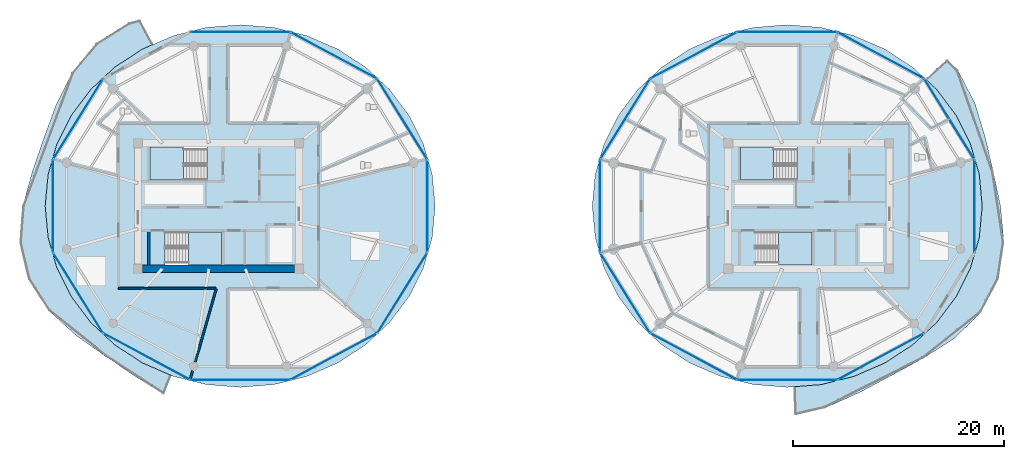
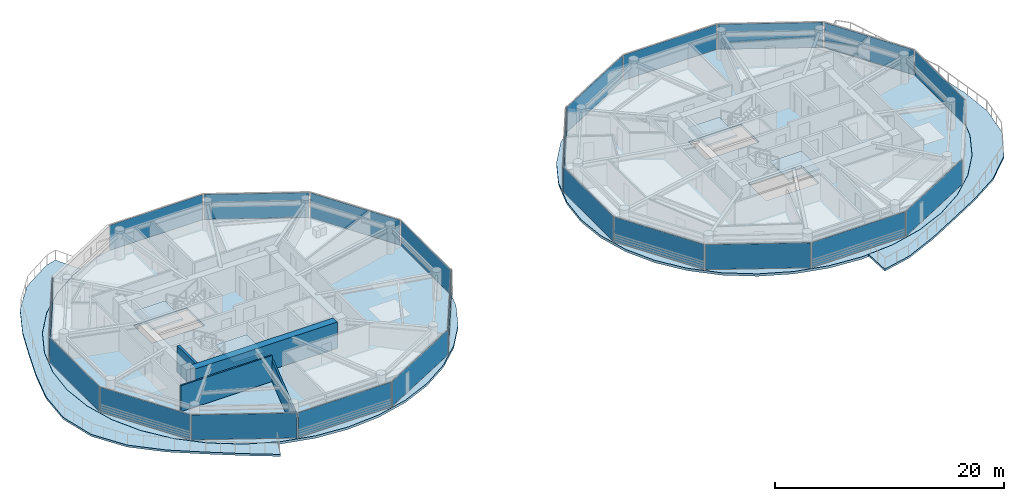
# One storey, part 12 of 25: 22 plates, 8 slabs, 4 walls, 26 elements without a shape of their own.
"""IFC4 building model written with IfcOpenShell, lengths in metres."""

from ifc_helpers import new_model, si_unit, direction, frame, frame_2d, origin, origin_2d, place, context, subcontext, project, spatial, polyline, rectangle, outline, extrude, source, transform, mapped, material, layer, layer_set, type_object, type_shapes, element, aggregate, save


model = new_model("IFC4")

# Units and contexts
model_context = context("Model", 3, precision=1e-05, world=origin(), true_north=direction((0.0, 1.0)))
body_context = subcontext(model_context, "Body", "Model", "MODEL_VIEW")
ifc_project = project(units=[si_unit("LENGTHUNIT", "METRE"), si_unit("AREAUNIT", "SQUARE_METRE"), si_unit("VOLUMEUNIT", "CUBIC_METRE"), si_unit("PLANEANGLEUNIT", "RADIAN"), si_unit("MASSUNIT", "GRAM", prefix="KILO")], contexts=[model_context])

# Site, building, storey
site_placement = place(None, origin())
site = spatial("IfcSite", under=ifc_project, at=site_placement, CompositionType="ELEMENT")
building_placement = place(site_placement, origin())
building = spatial("IfcBuilding", under=site, at=building_placement, Name="Norrkilde Senior Care Towers", CompositionType="ELEMENT")
storey_placement = place(building_placement, frame((0.0, 0.0, 99.300048828125)))
storey = spatial("IfcBuildingStorey", under=building, at=storey_placement, Name="L30", CompositionType="ELEMENT", Elevation=99.300048828125)

# Slabs
ifc_material_1 = material(Name="Concrete C50/60", Category="concrete")
ifc_layer_1 = layer(ifc_material_1, 0.215087890625)
ifc_layer_set_1 = layer_set([ifc_layer_1], Name="Concrete C50/60")
slab_type_1 = type_object("IfcSlabType", Name="Sinusoidal Balcony Ribbon Slab 215", PredefinedType="FLOOR", material=ifc_layer_set_1)
slab_1_placement = place(storey_placement, frame((0.0, 0.0, -0.215087890625)))
element("IfcSlab", 1, at=slab_1_placement, inside=storey, type_object=slab_type_1, Name="L30 Drum W Swirling Senior Balcony 1", PredefinedType="FLOOR", context=body_context, shape_type="SweptSolid", body=[
    extrude(outline(polyline([(-38.70068359375, -14.27734375), (-41.502685546875, -12.302001953125), (-44.10595703125, -9.925537109375), (-46.023681640625, -6.935546875), (-46.840087890625, -3.493408203125), (-46.574951171875, 0.0), (-45.67333984375, 3.27197265625), (-44.602294921875, 6.379150390625), (-43.447509765625, 9.5166015625), (-41.896240234375, 12.6572265625), (-39.5966796875, 15.425537109375), (-36.5224609375, 17.359375), (-35.44580078125, 17.64794921875), (-34.200927734375, 15.334228515625), (-35.202392578125, 14.89990234375), (-37.8447265625, 13.1796875), (-40.125732421875, 11.05908203125), (-41.975830078125, 8.6025390625), (-43.339111328125, 5.884521484375), (-44.173828125, 2.987548828125), (-44.455078125, 0.0), (-44.173828125, -2.987548828125), (-43.339111328125, -5.884521484375), (-41.975830078125, -8.6025390625), (-40.125732421875, -11.05908203125), (-37.8447265625, -13.1796875), (-35.202392578125, -14.89990234375), (-32.47021484375, -16.08447265625), (-33.19482421875, -17.8720703125), (-35.8876953125, -16.176513671875), (-38.70068359375, -14.27734375)])), origin(), (0.0, 0.0, 1.0), 0.215087890625),
])
slab_2_placement = place(storey_placement, frame((0.0, 0.0, -0.215087890625)))
element("IfcSlab", 2, at=slab_2_placement, inside=storey, type_object=slab_type_1, Name="L30 Drum E Swirling Senior Balcony 1", PredefinedType="FLOOR", context=body_context, shape_type="SweptSolid", body=[
    extrude(outline(polyline([(44.346923828125, -10.0751953125), (41.79931640625, -12.56982421875), (38.84228515625, -14.458740234375), (35.83837890625, -16.085205078125), (32.798828125, -17.70361328125), (29.528076171875, -19.16845703125), (26.68115234375, -19.8271484375), (26.58251953125, -17.153564453125), (29.163330078125, -16.943603515625), (32.279052734375, -16.16748046875), (35.202392578125, -14.89990234375), (37.8447265625, -13.1796875), (40.125732421875, -11.05908203125), (41.975830078125, -8.6025390625), (43.339111328125, -5.884521484375), (44.173828125, -2.987548828125), (44.455078125, 0.0), (44.173828125, 2.987548828125), (43.339111328125, 5.884521484375), (41.975830078125, 8.6025390625), (40.125732421875, 11.05908203125), (39.09326171875, 12.01904296875), (41.144287109375, 13.89453125), (42.14013671875, 12.87744140625), (43.776611328125, 9.720947265625), (44.76025390625, 6.44091796875), (45.5068359375, 3.240478515625), (46.1875, 0.0), (46.51708984375, -3.43212890625), (45.9912109375, -6.9228515625), (44.346923828125, -10.0751953125)])), origin(), (0.0, 0.0, 1.0), 0.215087890625),
])

# Stair, slab
ifc_material_2 = material(Name="Concrete C45/55", Category="concrete")
stair_type = type_object("IfcStairType", Name="Core Protected Dogleg Stair Typical 3050", PredefinedType="HALF_TURN_STAIR", material=ifc_material_2)
stair_1_placement = place(storey_placement, origin())
stair_1 = element("IfcStair", 3, at=stair_1_placement, inside=storey, type_object=stair_type, Name="L30 Protected Core Stair W1", PredefinedType="HALF_TURN_STAIR")
ifc_layer_2 = layer(ifc_material_2, 0.199951171875)
ifc_layer_set_2 = layer_set([ifc_layer_2], Name="Concrete C45/55")
slab_type_2 = type_object("IfcSlabType", Name="Stair Landing Slab 200", PredefinedType="LANDING", material=ifc_layer_set_2)
slab_3_placement = place(storey_placement, frame((0.0, 0.0, 1.324951171875)))
slab_3 = element("IfcSlab", 4, at=slab_3_placement, type_object=slab_type_2, Name="ST-W1 landing 1", PredefinedType="LANDING", context=body_context, shape_type="SweptSolid", body=[
    extrude(outline(polyline([(-31.340087890625, 5.590087890625), (-34.5, 5.590087890625), (-34.5, 2.449951171875), (-31.340087890625, 2.449951171875), (-31.340087890625, 5.590087890625)])), origin(), (0.0, 0.0, 1.0), 0.199951171875),
])
aggregate(stair_1, [slab_3])

stair_2_placement = place(storey_placement, origin())
stair_2 = element("IfcStair", 5, at=stair_2_placement, inside=storey, type_object=stair_type, Name="L30 Protected Core Stair W2", PredefinedType="HALF_TURN_STAIR")
slab_4_placement = place(storey_placement, frame((0.0, 0.0, 1.324951171875)))
slab_4 = element("IfcSlab", 6, at=slab_4_placement, type_object=slab_type_2, Name="ST-W2 landing 1", PredefinedType="LANDING", context=body_context, shape_type="SweptSolid", body=[
    extrude(outline(polyline([(-30.860107421875, -5.590087890625), (-27.699951171875, -5.590087890625), (-27.699951171875, -2.449951171875), (-30.860107421875, -2.449951171875), (-30.860107421875, -5.590087890625)])), origin(), (0.0, 0.0, 1.0), 0.199951171875),
])
aggregate(stair_2, [slab_4])

stair_3_placement = place(storey_placement, origin())
stair_3 = element("IfcStair", 7, at=stair_3_placement, inside=storey, type_object=stair_type, Name="L30 Protected Core Stair E1", PredefinedType="HALF_TURN_STAIR")
slab_5_placement = place(storey_placement, frame((0.0, 0.0, 1.324951171875)))
slab_5 = element("IfcSlab", 8, at=slab_5_placement, type_object=slab_type_2, Name="ST-E1 landing 1", PredefinedType="LANDING", context=body_context, shape_type="SweptSolid", body=[
    extrude(outline(polyline([(24.659912109375, 5.590087890625), (21.5, 5.590087890625), (21.5, 2.449951171875), (24.659912109375, 2.449951171875), (24.659912109375, 5.590087890625)])), origin(), (0.0, 0.0, 1.0), 0.199951171875),
])
aggregate(stair_3, [slab_5])

stair_4_placement = place(storey_placement, origin())
stair_4 = element("IfcStair", 9, at=stair_4_placement, inside=storey, type_object=stair_type, Name="L30 Protected Core Stair E2", PredefinedType="HALF_TURN_STAIR")
slab_6_placement = place(storey_placement, frame((0.0, 0.0, 1.324951171875)))
slab_6 = element("IfcSlab", 10, at=slab_6_placement, type_object=slab_type_2, Name="ST-E2 landing 1", PredefinedType="LANDING", context=body_context, shape_type="SweptSolid", body=[
    extrude(outline(polyline([(25.139892578125, -5.590087890625), (28.300048828125, -5.590087890625), (28.300048828125, -2.449951171875), (25.139892578125, -2.449951171875), (25.139892578125, -5.590087890625)])), origin(), (0.0, 0.0, 1.0), 0.199951171875),
])
aggregate(stair_4, [slab_6])

# Slabs
ifc_layer_3 = layer(ifc_material_1, 0.260009765625)
ifc_layer_set_3 = layer_set([ifc_layer_3], Name="Concrete C50/60")
slab_type_3 = type_object("IfcSlabType", Name="Tower Care Floor Slab 260", PredefinedType="FLOOR", material=ifc_layer_set_3)
slab_7_placement = place(storey_placement, frame((0.0, 0.0, -0.260009765625)))
element("IfcSlab", 11, at=slab_7_placement, inside=storey, type_object=slab_type_3, Name="L30 Drum W Structural Floor Slab", PredefinedType="FLOOR", context=body_context, shape_type="SweptSolid", body=[
    extrude(outline(polyline([(-8.565673828125, -5.8828125), (-9.928466796875, -8.60009765625), (-11.778076171875, -11.055908203125), (-14.058349609375, -13.176025390625), (-16.699951171875, -14.895751953125), (-19.62255859375, -16.16259765625), (-22.737548828125, -16.938720703125), (-25.949951171875, -17.199951171875), (-29.16259765625, -16.938720703125), (-32.27734375, -16.16259765625), (-35.199951171875, -14.895751953125), (-37.841552734375, -13.176025390625), (-40.121826171875, -11.055908203125), (-41.971435546875, -8.60009765625), (-43.334228515625, -5.8828125), (-44.1689453125, -2.98681640625), (-44.449951171875, 0.0), (-44.1689453125, 2.98681640625), (-43.334228515625, 5.8828125), (-41.971435546875, 8.60009765625), (-40.121826171875, 11.055908203125), (-37.841552734375, 13.176025390625), (-35.199951171875, 14.895751953125), (-32.27734375, 16.16259765625), (-29.16259765625, 16.938720703125), (-25.949951171875, 17.199951171875), (-22.737548828125, 16.938720703125), (-19.62255859375, 16.16259765625), (-16.699951171875, 14.895751953125), (-14.058349609375, 13.176025390625), (-11.778076171875, 11.055908203125), (-9.928466796875, 8.60009765625), (-8.565673828125, 5.8828125), (-7.73095703125, 2.98681640625), (-7.449951171875, 0.0), (-7.73095703125, -2.98681640625), (-8.565673828125, -5.8828125)]), holes=[polyline([(-34.48193359375, 2.468017578125), (-29.117919921875, 2.468017578125), (-29.117919921875, 5.590087890625), (-34.48193359375, 5.590087890625), (-34.48193359375, 2.468017578125)]), polyline([(-27.718017578125, -5.590087890625), (-27.718017578125, -2.468017578125), (-33.08203125, -2.468017578125), (-33.08203125, -5.590087890625), (-27.718017578125, -5.590087890625)])]), origin(), (0.0, 0.0, 1.0), 0.260009765625),
])
slab_8_placement = place(storey_placement, frame((0.0, 0.0, -0.260009765625)))
element("IfcSlab", 12, at=slab_8_placement, inside=storey, type_object=slab_type_3, Name="L30 Drum E Structural Floor Slab", PredefinedType="FLOOR", context=body_context, shape_type="SweptSolid", body=[
    extrude(outline(polyline([(43.334228515625, -5.8828125), (41.971435546875, -8.60009765625), (40.121826171875, -11.055908203125), (37.841552734375, -13.176025390625), (35.199951171875, -14.895751953125), (32.27734375, -16.16259765625), (29.16259765625, -16.938720703125), (25.949951171875, -17.199951171875), (22.737548828125, -16.938720703125), (19.62255859375, -16.16259765625), (16.699951171875, -14.895751953125), (14.058349609375, -13.176025390625), (11.778076171875, -11.055908203125), (9.928466796875, -8.60009765625), (8.565673828125, -5.8828125), (7.73095703125, -2.98681640625), (7.449951171875, 0.0), (7.73095703125, 2.98681640625), (8.565673828125, 5.8828125), (9.928466796875, 8.60009765625), (11.778076171875, 11.055908203125), (14.058349609375, 13.176025390625), (16.699951171875, 14.895751953125), (19.62255859375, 16.16259765625), (22.737548828125, 16.938720703125), (25.949951171875, 17.199951171875), (29.16259765625, 16.938720703125), (32.27734375, 16.16259765625), (35.199951171875, 14.895751953125), (37.841552734375, 13.176025390625), (40.121826171875, 11.055908203125), (41.971435546875, 8.60009765625), (43.334228515625, 5.8828125), (44.1689453125, 2.98681640625), (44.449951171875, 0.0), (44.1689453125, -2.98681640625), (43.334228515625, -5.8828125)]), holes=[polyline([(21.51806640625, 2.468017578125), (26.882080078125, 2.468017578125), (26.882080078125, 5.590087890625), (21.51806640625, 5.590087890625), (21.51806640625, 2.468017578125)]), polyline([(28.281982421875, -5.590087890625), (28.281982421875, -2.468017578125), (22.91796875, -2.468017578125), (22.91796875, -5.590087890625), (28.281982421875, -5.590087890625)])]), origin(), (0.0, 0.0, 1.0), 0.260009765625),
])

# Curtain wall, plate
ifc_material_3 = material(Name="Triple Low-E Insulated Glazing", Category="glass")
ifc_layer_4 = layer(ifc_material_3, 0.195068359375)
ifc_layer_set_4 = layer_set([ifc_layer_4], Name="Triple Low-E Insulated Glazing")
curtain_wall_type = type_object("IfcCurtainWallType", Name="CW3 Zone 2 Assisted Living Curtain Wall", PredefinedType="NOTDEFINED", material=ifc_layer_set_4)
curtain_wall_1_placement = place(storey_placement, origin())
curtain_wall_1 = element("IfcCurtainWall", 13, at=curtain_wall_1_placement, inside=storey, type_object=curtain_wall_type, Name="L30 Drum W Curtain Wall 00", PredefinedType="NOTDEFINED")
ifc_layer_5 = layer(ifc_material_3, 0.035888671875)
ifc_layer_set_5 = layer_set([ifc_layer_5], Name="Triple Low-E Insulated Glazing")
plate_type = type_object("IfcPlateType", Name="Triple Low-E Vision Curtain Panel 36", PredefinedType="CURTAIN_PANEL", material=ifc_layer_set_5)
shared_shape_1 = source(origin(), body_context, "Body", "SweptSolid", [
    extrude(rectangle(XDim=8.88427734375, YDim=0.035888671875, at=origin_2d()), origin(), (0.0, 0.0, 1.0), 2.669921875),
])
plate_1_placement = place(storey_placement, frame((-10.574951171875, 8.2490234375, 0.06005859375), z_axis=(0.0, 0.0, 1.0), x_axis=(0.527733228002, -0.849410171862, 0.0)))
plate_1 = element("IfcPlate", 14, at=plate_1_placement, type_object=plate_type, Name="CW-3 panel 1.1", PredefinedType="CURTAIN_PANEL", context=body_context, shape_type="MappedRepresentation", body=[
    mapped(shared_shape_1, transform((0.0, 0.0, 0.0), x_axis=(1.0, 0.0, 0.0), y_axis=(0.0, 1.0, 0.0), z_axis=(0.0, 0.0, 1.0), scale=1.0)),
])
aggregate(curtain_wall_1, [plate_1])

curtain_wall_2_placement = place(storey_placement, origin())
curtain_wall_2 = element("IfcCurtainWall", 15, at=curtain_wall_2_placement, inside=storey, type_object=curtain_wall_type, Name="L30 Drum W Curtain Wall 04", PredefinedType="NOTDEFINED")
plate_2_placement = place(storey_placement, frame((-41.3251953125, 8.2490234375, 0.06005859375), z_axis=(0.0, 0.0, 1.0), x_axis=(0.527733228002, 0.849410171862, 0.0)))
plate_2 = element("IfcPlate", 16, at=plate_2_placement, type_object=plate_type, Name="CW-3 panel 1.1", PredefinedType="CURTAIN_PANEL", context=body_context, shape_type="MappedRepresentation", body=[
    mapped(shared_shape_1, transform((0.0, 0.0, 0.0), x_axis=(1.0, 0.0, 0.0), y_axis=(0.0, 1.0, 0.0), z_axis=(0.0, 0.0, 1.0), scale=1.0)),
])
aggregate(curtain_wall_2, [plate_2])

curtain_wall_3_placement = place(storey_placement, origin())
curtain_wall_3 = element("IfcCurtainWall", 17, at=curtain_wall_3_placement, inside=storey, type_object=curtain_wall_type, Name="L30 Drum W Curtain Wall 06", PredefinedType="NOTDEFINED")
plate_3_placement = place(storey_placement, frame((-41.3251953125, -8.2490234375, 0.06005859375), z_axis=(0.0, 0.0, 1.0), x_axis=(-0.527733228002, 0.849410171862, 0.0)))
plate_3 = element("IfcPlate", 18, at=plate_3_placement, type_object=plate_type, Name="CW-3 panel 1.1", PredefinedType="CURTAIN_PANEL", context=body_context, shape_type="MappedRepresentation", body=[
    mapped(shared_shape_1, transform((0.0, 0.0, 0.0), x_axis=(1.0, 0.0, 0.0), y_axis=(0.0, 1.0, 0.0), z_axis=(0.0, 0.0, 1.0), scale=1.0)),
])
aggregate(curtain_wall_3, [plate_3])

curtain_wall_4_placement = place(storey_placement, origin())
curtain_wall_4 = element("IfcCurtainWall", 19, at=curtain_wall_4_placement, inside=storey, type_object=curtain_wall_type, Name="L30 Drum W Curtain Wall 10", PredefinedType="NOTDEFINED")
plate_4_placement = place(storey_placement, frame((-10.574951171875, -8.2490234375, 0.06005859375), z_axis=(0.0, 0.0, 1.0), x_axis=(-0.527733228002, -0.849410171862, 0.0)))
plate_4 = element("IfcPlate", 20, at=plate_4_placement, type_object=plate_type, Name="CW-3 panel 1.1", PredefinedType="CURTAIN_PANEL", context=body_context, shape_type="MappedRepresentation", body=[
    mapped(shared_shape_1, transform((0.0, 0.0, 0.0), x_axis=(1.0, 0.0, 0.0), y_axis=(0.0, 1.0, 0.0), z_axis=(0.0, 0.0, 1.0), scale=1.0)),
])
aggregate(curtain_wall_4, [plate_4])

curtain_wall_5_placement = place(storey_placement, origin())
curtain_wall_5 = element("IfcCurtainWall", 21, at=curtain_wall_5_placement, inside=storey, type_object=curtain_wall_type, Name="L30 Drum E Curtain Wall 00", PredefinedType="NOTDEFINED")
plate_5_placement = place(storey_placement, frame((41.3251953125, 8.2490234375, 0.06005859375), z_axis=(0.0, 0.0, 1.0), x_axis=(0.527733228002, -0.849410171862, 0.0)))
plate_5 = element("IfcPlate", 22, at=plate_5_placement, type_object=plate_type, Name="CW-3 panel 1.1", PredefinedType="CURTAIN_PANEL", context=body_context, shape_type="MappedRepresentation", body=[
    mapped(shared_shape_1, transform((0.0, 0.0, 0.0), x_axis=(1.0, 0.0, 0.0), y_axis=(0.0, 1.0, 0.0), z_axis=(0.0, 0.0, 1.0), scale=1.0)),
])
aggregate(curtain_wall_5, [plate_5])

curtain_wall_6_placement = place(storey_placement, origin())
curtain_wall_6 = element("IfcCurtainWall", 23, at=curtain_wall_6_placement, inside=storey, type_object=curtain_wall_type, Name="L30 Drum E Curtain Wall 04", PredefinedType="NOTDEFINED")
plate_6_placement = place(storey_placement, frame((10.574951171875, 8.2490234375, 0.06005859375), z_axis=(0.0, 0.0, 1.0), x_axis=(0.527733228002, 0.849410171862, 0.0)))
plate_6 = element("IfcPlate", 24, at=plate_6_placement, type_object=plate_type, Name="CW-3 panel 1.1", PredefinedType="CURTAIN_PANEL", context=body_context, shape_type="MappedRepresentation", body=[
    mapped(shared_shape_1, transform((0.0, 0.0, 0.0), x_axis=(1.0, 0.0, 0.0), y_axis=(0.0, 1.0, 0.0), z_axis=(0.0, 0.0, 1.0), scale=1.0)),
])
aggregate(curtain_wall_6, [plate_6])

curtain_wall_7_placement = place(storey_placement, origin())
curtain_wall_7 = element("IfcCurtainWall", 25, at=curtain_wall_7_placement, inside=storey, type_object=curtain_wall_type, Name="L30 Drum E Curtain Wall 06", PredefinedType="NOTDEFINED")
plate_7_placement = place(storey_placement, frame((10.574951171875, -8.2490234375, 0.06005859375), z_axis=(0.0, 0.0, 1.0), x_axis=(-0.527733228002, 0.849410171862, 0.0)))
plate_7 = element("IfcPlate", 26, at=plate_7_placement, type_object=plate_type, Name="CW-3 panel 1.1", PredefinedType="CURTAIN_PANEL", context=body_context, shape_type="MappedRepresentation", body=[
    mapped(shared_shape_1, transform((0.0, 0.0, 0.0), x_axis=(1.0, 0.0, 0.0), y_axis=(0.0, 1.0, 0.0), z_axis=(0.0, 0.0, 1.0), scale=1.0)),
])
aggregate(curtain_wall_7, [plate_7])

curtain_wall_8_placement = place(storey_placement, origin())
curtain_wall_8 = element("IfcCurtainWall", 27, at=curtain_wall_8_placement, inside=storey, type_object=curtain_wall_type, Name="L30 Drum W Curtain Wall 01", PredefinedType="NOTDEFINED")
shared_shape_2 = source(origin(), body_context, "Body", "SweptSolid", [
    extrude(rectangle(XDim=9.220458984375, YDim=0.035888671875, at=origin_2d()), origin(), (0.0, 0.0, 1.0), 2.669921875),
])
plate_8_placement = place(storey_placement, frame((-17.0732421875, 14.28759765625, 0.06005859375), z_axis=(0.0, 0.0, 1.0), x_axis=(0.881186184668, -0.472769402511, 0.0)))
plate_8 = element("IfcPlate", 28, at=plate_8_placement, type_object=plate_type, Name="CW-3 panel 1.1", PredefinedType="CURTAIN_PANEL", context=body_context, shape_type="MappedRepresentation", body=[
    mapped(shared_shape_2, transform((0.0, 0.0, 0.0), x_axis=(1.0, 0.0, 0.0), y_axis=(0.0, 1.0, 0.0), z_axis=(0.0, 0.0, 1.0), scale=1.0)),
])
aggregate(curtain_wall_8, [plate_8])

curtain_wall_9_placement = place(storey_placement, origin())
curtain_wall_9 = element("IfcCurtainWall", 29, at=curtain_wall_9_placement, inside=storey, type_object=curtain_wall_type, Name="L30 Drum W Curtain Wall 07", PredefinedType="NOTDEFINED")
plate_9_placement = place(storey_placement, frame((-34.826904296875, -14.28759765625, 0.06005859375), z_axis=(0.0, 0.0, 1.0), x_axis=(-0.881186184668, 0.472769402511, 0.0)))
plate_9 = element("IfcPlate", 30, at=plate_9_placement, type_object=plate_type, Name="CW-3 panel 1.1", PredefinedType="CURTAIN_PANEL", context=body_context, shape_type="MappedRepresentation", body=[
    mapped(shared_shape_2, transform((0.0, 0.0, 0.0), x_axis=(1.0, 0.0, 0.0), y_axis=(0.0, 1.0, 0.0), z_axis=(0.0, 0.0, 1.0), scale=1.0)),
])
aggregate(curtain_wall_9, [plate_9])

curtain_wall_10_placement = place(storey_placement, origin())
curtain_wall_10 = element("IfcCurtainWall", 31, at=curtain_wall_10_placement, inside=storey, type_object=curtain_wall_type, Name="L30 Drum W Curtain Wall 09", PredefinedType="NOTDEFINED")
plate_10_placement = place(storey_placement, frame((-17.0732421875, -14.28759765625, 0.06005859375), z_axis=(0.0, 0.0, 1.0), x_axis=(-0.881186184668, -0.472769402511, 0.0)))
plate_10 = element("IfcPlate", 32, at=plate_10_placement, type_object=plate_type, Name="CW-3 panel 1.1", PredefinedType="CURTAIN_PANEL", context=body_context, shape_type="MappedRepresentation", body=[
    mapped(shared_shape_2, transform((0.0, 0.0, 0.0), x_axis=(1.0, 0.0, 0.0), y_axis=(0.0, 1.0, 0.0), z_axis=(0.0, 0.0, 1.0), scale=1.0)),
])
aggregate(curtain_wall_10, [plate_10])

curtain_wall_11_placement = place(storey_placement, origin())
curtain_wall_11 = element("IfcCurtainWall", 33, at=curtain_wall_11_placement, inside=storey, type_object=curtain_wall_type, Name="L30 Drum E Curtain Wall 01", PredefinedType="NOTDEFINED")
plate_11_placement = place(storey_placement, frame((34.826904296875, 14.28759765625, 0.06005859375), z_axis=(0.0, 0.0, 1.0), x_axis=(0.881186184668, -0.472769402511, 0.0)))
plate_11 = element("IfcPlate", 34, at=plate_11_placement, type_object=plate_type, Name="CW-3 panel 1.1", PredefinedType="CURTAIN_PANEL", context=body_context, shape_type="MappedRepresentation", body=[
    mapped(shared_shape_2, transform((0.0, 0.0, 0.0), x_axis=(1.0, 0.0, 0.0), y_axis=(0.0, 1.0, 0.0), z_axis=(0.0, 0.0, 1.0), scale=1.0)),
])
aggregate(curtain_wall_11, [plate_11])

curtain_wall_12_placement = place(storey_placement, origin())
curtain_wall_12 = element("IfcCurtainWall", 35, at=curtain_wall_12_placement, inside=storey, type_object=curtain_wall_type, Name="L30 Drum E Curtain Wall 03", PredefinedType="NOTDEFINED")
plate_12_placement = place(storey_placement, frame((17.0732421875, 14.28759765625, 0.06005859375), z_axis=(0.0, 0.0, 1.0), x_axis=(0.881186184668, 0.472769402511, 0.0)))
plate_12 = element("IfcPlate", 36, at=plate_12_placement, type_object=plate_type, Name="CW-3 panel 1.1", PredefinedType="CURTAIN_PANEL", context=body_context, shape_type="MappedRepresentation", body=[
    mapped(shared_shape_2, transform((0.0, 0.0, 0.0), x_axis=(1.0, 0.0, 0.0), y_axis=(0.0, 1.0, 0.0), z_axis=(0.0, 0.0, 1.0), scale=1.0)),
])
aggregate(curtain_wall_12, [plate_12])

curtain_wall_13_placement = place(storey_placement, origin())
curtain_wall_13 = element("IfcCurtainWall", 37, at=curtain_wall_13_placement, inside=storey, type_object=curtain_wall_type, Name="L30 Drum E Curtain Wall 07", PredefinedType="NOTDEFINED")
plate_13_placement = place(storey_placement, frame((17.0732421875, -14.28759765625, 0.06005859375), z_axis=(0.0, 0.0, 1.0), x_axis=(-0.881186184668, 0.472769402511, 0.0)))
plate_13 = element("IfcPlate", 38, at=plate_13_placement, type_object=plate_type, Name="CW-3 panel 1.1", PredefinedType="CURTAIN_PANEL", context=body_context, shape_type="MappedRepresentation", body=[
    mapped(shared_shape_2, transform((0.0, 0.0, 0.0), x_axis=(1.0, 0.0, 0.0), y_axis=(0.0, 1.0, 0.0), z_axis=(0.0, 0.0, 1.0), scale=1.0)),
])
aggregate(curtain_wall_13, [plate_13])

curtain_wall_14_placement = place(storey_placement, origin())
curtain_wall_14 = element("IfcCurtainWall", 39, at=curtain_wall_14_placement, inside=storey, type_object=curtain_wall_type, Name="L30 Drum E Curtain Wall 09", PredefinedType="NOTDEFINED")
plate_14_placement = place(storey_placement, frame((34.826904296875, -14.28759765625, 0.06005859375), z_axis=(0.0, 0.0, 1.0), x_axis=(-0.881186184668, -0.472769402511, 0.0)))
plate_14 = element("IfcPlate", 40, at=plate_14_placement, type_object=plate_type, Name="CW-3 panel 1.1", PredefinedType="CURTAIN_PANEL", context=body_context, shape_type="MappedRepresentation", body=[
    mapped(shared_shape_2, transform((0.0, 0.0, 0.0), x_axis=(1.0, 0.0, 0.0), y_axis=(0.0, 1.0, 0.0), z_axis=(0.0, 0.0, 1.0), scale=1.0)),
])
aggregate(curtain_wall_14, [plate_14])

curtain_wall_15_placement = place(storey_placement, origin())
curtain_wall_15 = element("IfcCurtainWall", 41, at=curtain_wall_15_placement, inside=storey, type_object=curtain_wall_type, Name="L30 Drum W Curtain Wall 02", PredefinedType="NOTDEFINED")
shared_shape_3 = source(origin(), body_context, "Body", "SweptSolid", [
    extrude(rectangle(XDim=9.38427734375, YDim=0.035888671875, at=origin_2d()), origin(), (0.0, 0.0, 1.0), 2.669921875),
])
plate_15_placement = place(storey_placement, frame((-25.949951171875, 16.498046875, 0.06005859375), z_axis=(0.0, 0.0, 1.0), x_axis=(1.0, 0.0, 0.0)))
plate_15 = element("IfcPlate", 42, at=plate_15_placement, type_object=plate_type, Name="CW-3 panel 1.1", PredefinedType="CURTAIN_PANEL", context=body_context, shape_type="MappedRepresentation", body=[
    mapped(shared_shape_3, transform((0.0, 0.0, 0.0), x_axis=(1.0, 0.0, 0.0), y_axis=(0.0, 1.0, 0.0), z_axis=(0.0, 0.0, 1.0), scale=1.0)),
])
aggregate(curtain_wall_15, [plate_15])

curtain_wall_16_placement = place(storey_placement, origin())
curtain_wall_16 = element("IfcCurtainWall", 43, at=curtain_wall_16_placement, inside=storey, type_object=curtain_wall_type, Name="L30 Drum W Curtain Wall 08", PredefinedType="NOTDEFINED")
plate_16_placement = place(storey_placement, frame((-25.949951171875, -16.498046875, 0.06005859375), z_axis=(0.0, 0.0, 1.0), x_axis=(-1.0, 0.0, 0.0)))
plate_16 = element("IfcPlate", 44, at=plate_16_placement, type_object=plate_type, Name="CW-3 panel 1.1", PredefinedType="CURTAIN_PANEL", context=body_context, shape_type="MappedRepresentation", body=[
    mapped(shared_shape_3, transform((0.0, 0.0, 0.0), x_axis=(1.0, 0.0, 0.0), y_axis=(0.0, 1.0, 0.0), z_axis=(0.0, 0.0, 1.0), scale=1.0)),
])
aggregate(curtain_wall_16, [plate_16])

curtain_wall_17_placement = place(storey_placement, origin())
curtain_wall_17 = element("IfcCurtainWall", 45, at=curtain_wall_17_placement, inside=storey, type_object=curtain_wall_type, Name="L30 Drum E Curtain Wall 02", PredefinedType="NOTDEFINED")
plate_17_placement = place(storey_placement, frame((25.949951171875, 16.498046875, 0.06005859375), z_axis=(0.0, 0.0, 1.0), x_axis=(1.0, 0.0, 0.0)))
plate_17 = element("IfcPlate", 46, at=plate_17_placement, type_object=plate_type, Name="CW-3 panel 1.1", PredefinedType="CURTAIN_PANEL", context=body_context, shape_type="MappedRepresentation", body=[
    mapped(shared_shape_3, transform((0.0, 0.0, 0.0), x_axis=(1.0, 0.0, 0.0), y_axis=(0.0, 1.0, 0.0), z_axis=(0.0, 0.0, 1.0), scale=1.0)),
])
aggregate(curtain_wall_17, [plate_17])

curtain_wall_18_placement = place(storey_placement, origin())
curtain_wall_18 = element("IfcCurtainWall", 47, at=curtain_wall_18_placement, inside=storey, type_object=curtain_wall_type, Name="L30 Drum E Curtain Wall 08", PredefinedType="NOTDEFINED")
plate_18_placement = place(storey_placement, frame((25.949951171875, -16.498046875, 0.06005859375), z_axis=(0.0, 0.0, 1.0), x_axis=(-1.0, 0.0, 0.0)))
plate_18 = element("IfcPlate", 48, at=plate_18_placement, type_object=plate_type, Name="CW-3 panel 1.1", PredefinedType="CURTAIN_PANEL", context=body_context, shape_type="MappedRepresentation", body=[
    mapped(shared_shape_3, transform((0.0, 0.0, 0.0), x_axis=(1.0, 0.0, 0.0), y_axis=(0.0, 1.0, 0.0), z_axis=(0.0, 0.0, 1.0), scale=1.0)),
])
aggregate(curtain_wall_18, [plate_18])

curtain_wall_19_placement = place(storey_placement, origin())
curtain_wall_19 = element("IfcCurtainWall", 49, at=curtain_wall_19_placement, inside=storey, type_object=curtain_wall_type, Name="L30 Drum W Curtain Wall 05", PredefinedType="NOTDEFINED")
shared_shape_4 = source(origin(), body_context, "Body", "SweptSolid", [
    extrude(rectangle(XDim=8.711181640625, YDim=0.035888671875, at=origin_2d()), origin(), (0.0, 0.0, 1.0), 2.669921875),
])
type_shapes(plate_type, [shared_shape_1, shared_shape_2, shared_shape_3, shared_shape_4])
plate_19_placement = place(storey_placement, frame((-43.70361328125, 0.0, 0.06005859375), z_axis=(0.0, 0.0, 1.0), x_axis=(0.0, 1.0, 0.0)))
plate_19 = element("IfcPlate", 50, at=plate_19_placement, type_object=plate_type, Name="CW-3 panel 1.1", PredefinedType="CURTAIN_PANEL", context=body_context, shape_type="MappedRepresentation", body=[
    mapped(shared_shape_4, transform((0.0, 0.0, 0.0), x_axis=(1.0, 0.0, 0.0), y_axis=(0.0, 1.0, 0.0), z_axis=(0.0, 0.0, 1.0), scale=1.0)),
])
aggregate(curtain_wall_19, [plate_19])

curtain_wall_20_placement = place(storey_placement, origin())
curtain_wall_20 = element("IfcCurtainWall", 51, at=curtain_wall_20_placement, inside=storey, type_object=curtain_wall_type, Name="L30 Drum W Curtain Wall 11", PredefinedType="NOTDEFINED")
plate_20_placement = place(storey_placement, frame((-8.1962890625, 0.0, 0.06005859375), z_axis=(0.0, 0.0, 1.0), x_axis=(0.0, -1.0, 0.0)))
plate_20 = element("IfcPlate", 52, at=plate_20_placement, type_object=plate_type, Name="CW-3 panel 1.1", PredefinedType="CURTAIN_PANEL", context=body_context, shape_type="MappedRepresentation", body=[
    mapped(shared_shape_4, transform((0.0, 0.0, 0.0), x_axis=(1.0, 0.0, 0.0), y_axis=(0.0, 1.0, 0.0), z_axis=(0.0, 0.0, 1.0), scale=1.0)),
])
aggregate(curtain_wall_20, [plate_20])

curtain_wall_21_placement = place(storey_placement, origin())
curtain_wall_21 = element("IfcCurtainWall", 53, at=curtain_wall_21_placement, inside=storey, type_object=curtain_wall_type, Name="L30 Drum E Curtain Wall 05", PredefinedType="NOTDEFINED")
plate_21_placement = place(storey_placement, frame((8.1962890625, 0.0, 0.06005859375), z_axis=(0.0, 0.0, 1.0), x_axis=(0.0, 1.0, 0.0)))
plate_21 = element("IfcPlate", 54, at=plate_21_placement, type_object=plate_type, Name="CW-3 panel 1.1", PredefinedType="CURTAIN_PANEL", context=body_context, shape_type="MappedRepresentation", body=[
    mapped(shared_shape_4, transform((0.0, 0.0, 0.0), x_axis=(1.0, 0.0, 0.0), y_axis=(0.0, 1.0, 0.0), z_axis=(0.0, 0.0, 1.0), scale=1.0)),
])
aggregate(curtain_wall_21, [plate_21])

curtain_wall_22_placement = place(storey_placement, origin())
curtain_wall_22 = element("IfcCurtainWall", 55, at=curtain_wall_22_placement, inside=storey, type_object=curtain_wall_type, Name="L30 Drum E Curtain Wall 11", PredefinedType="NOTDEFINED")
plate_22_placement = place(storey_placement, frame((43.70361328125, 0.0, 0.06005859375), z_axis=(0.0, 0.0, 1.0), x_axis=(0.0, -1.0, 0.0)))
plate_22 = element("IfcPlate", 56, at=plate_22_placement, type_object=plate_type, Name="CW-3 panel 1.1", PredefinedType="CURTAIN_PANEL", context=body_context, shape_type="MappedRepresentation", body=[
    mapped(shared_shape_4, transform((0.0, 0.0, 0.0), x_axis=(1.0, 0.0, 0.0), y_axis=(0.0, 1.0, 0.0), z_axis=(0.0, 0.0, 1.0), scale=1.0)),
])
aggregate(curtain_wall_22, [plate_22])

# Walls
ifc_material_4 = material(Name="Concrete C60/75", Category="concrete")
ifc_layer_6 = layer(ifc_material_4, 0.719970703125)
ifc_layer_set_6 = layer_set([ifc_layer_6], Name="Concrete C60/75")
wall_type_1 = type_object("IfcWallType", Name="Core Shear Wall Z2 720", PredefinedType="SHEAR", material=ifc_layer_set_6)
shared_shape_5 = source(origin(), body_context, "Body", "SweptSolid", [
    extrude(rectangle(XDim=14.39990234375, YDim=0.719970703125, at=frame_2d((7.199951171875, 0.0))), origin(), (0.0, 0.0, 1.0), 2.7900390625),
])
type_shapes(wall_type_1, [shared_shape_5])
wall_1_placement = place(storey_placement, frame((-20.800048828125, -5.949951171875, 0.0), z_axis=(0.0, 0.0, 1.0), x_axis=(-1.0, 0.0, 0.0)))
element("IfcWall", 57, at=wall_1_placement, inside=storey, type_object=wall_type_1, Name="L30 Core W South Shear Wall", PredefinedType="SHEAR", context=body_context, shape_type="MappedRepresentation", body=[
    mapped(shared_shape_5, transform((0.0, 0.0, 0.0), x_axis=(1.0, 0.0, 0.0), y_axis=(0.0, 1.0, 0.0), z_axis=(0.0, 0.0, 1.0), scale=1.0)),
])
ifc_layer_7 = layer(ifc_material_2, 0.239990234375)
ifc_layer_set_7 = layer_set([ifc_layer_7], Name="Concrete C45/55")
wall_type_2 = type_object("IfcWallType", Name="Shaft and Stair Enclosure Wall 240", PredefinedType="PARTITIONING", material=ifc_layer_set_7)
shared_shape_6 = source(origin(), body_context, "Body", "SweptSolid", [
    extrude(rectangle(XDim=3.14013671875, YDim=0.239990234375, at=frame_2d((1.570068359375, 0.0))), origin(), (0.0, 0.0, 1.0), 2.7900390625),
])
type_shapes(wall_type_2, [shared_shape_6])
wall_2_placement = place(storey_placement, frame((-34.6201171875, -5.590087890625, 0.0), z_axis=(0.0, 0.0, 1.0), x_axis=(0.0, 1.0, 0.0)))
element("IfcWall", 58, at=wall_2_placement, inside=storey, type_object=wall_type_2, Name="WL-INT-L30-W-ST2W", PredefinedType="PARTITIONING", context=body_context, shape_type="MappedRepresentation", body=[
    mapped(shared_shape_6, transform((0.0, 0.0, 0.0), x_axis=(1.0, 0.0, 0.0), y_axis=(0.0, 1.0, 0.0), z_axis=(0.0, 0.0, 1.0), scale=1.0)),
])
ifc_material_5 = material(Name="Gypsum Acoustic Board")
ifc_layer_8 = layer(ifc_material_5, 0.1650390625)
ifc_layer_set_8 = layer_set([ifc_layer_8], Name="Gypsum Acoustic Board")
wall_type_3 = type_object("IfcWallType", Name="Corridor Rated Partition 165", PredefinedType="PARTITIONING", material=ifc_layer_set_8)
shared_shape_7 = source(origin(), body_context, "Body", "SweptSolid", [
    extrude(rectangle(XDim=9.234130859375, YDim=0.1650390625, at=frame_2d((4.6171875, 0.0))), origin(), (0.0, 0.0, 1.0), 2.77490234375),
])
wall_3_placement = place(storey_placement, frame((-28.265869140625, -7.800048828125, 0.0), z_axis=(0.0, 0.0, 1.0), x_axis=(-1.0, 0.0, 0.0)))
element("IfcWall", 59, at=wall_3_placement, inside=storey, type_object=wall_type_3, Name="WL-INT-L30-W-CRW-S-1", PredefinedType="PARTITIONING", context=body_context, shape_type="MappedRepresentation", body=[
    mapped(shared_shape_7, transform((0.0, 0.0, 0.0), x_axis=(1.0, 0.0, 0.0), y_axis=(0.0, 1.0, 0.0), z_axis=(0.0, 0.0, 1.0), scale=1.0)),
])
shared_shape_8 = source(origin(), body_context, "Body", "SweptSolid", [
    extrude(rectangle(XDim=8.9892578125, YDim=0.1650390625, at=frame_2d((4.49462890625, 0.0))), origin(), (0.0, 0.0, 1.0), 2.27490234375),
])
type_shapes(wall_type_3, [shared_shape_7, shared_shape_8])
wall_4_placement = place(storey_placement, frame((-28.221923828125, -7.8798828125, 0.0), z_axis=(0.0, 0.0, 1.0), x_axis=(-0.27702323008, -0.960863221274, 0.0)))
element("IfcWall", 60, at=wall_4_placement, inside=storey, type_object=wall_type_3, Name="WL-INT-L30-W-DEM-08-0", PredefinedType="PARTITIONING", context=body_context, shape_type="MappedRepresentation", body=[
    mapped(shared_shape_8, transform((0.0, 0.0, 0.0), x_axis=(1.0, 0.0, 0.0), y_axis=(0.0, 1.0, 0.0), z_axis=(0.0, 0.0, 1.0), scale=1.0)),
])

save(model, "model.ifc")
